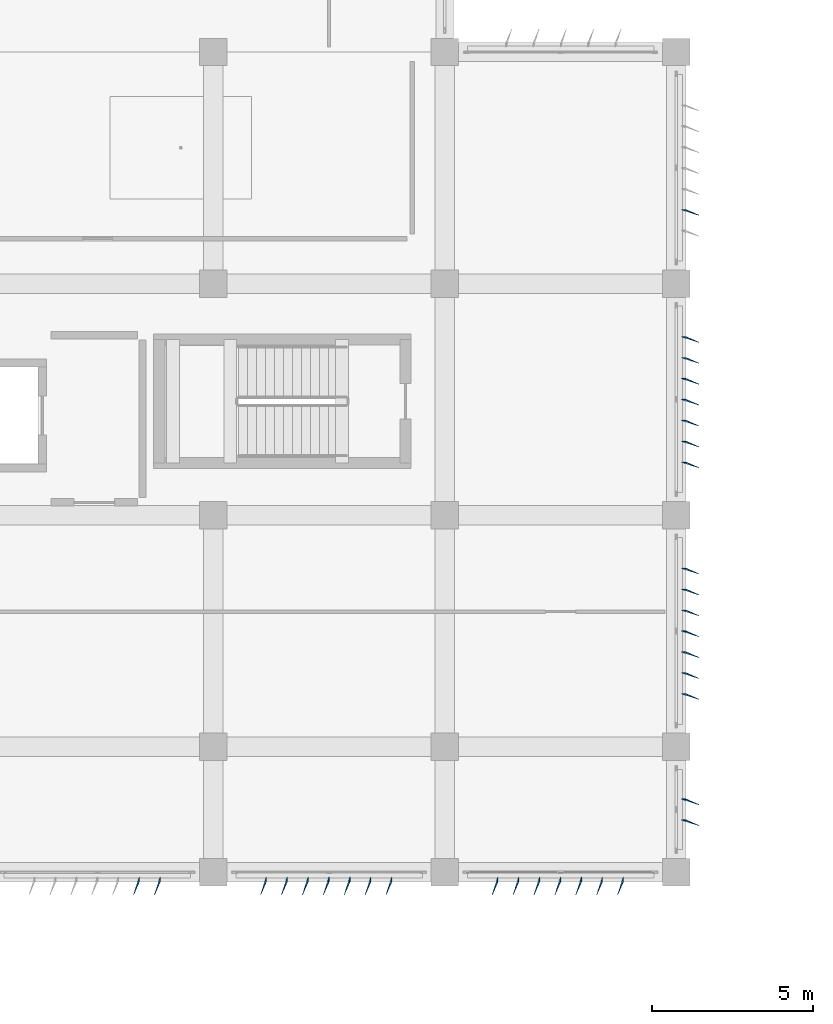
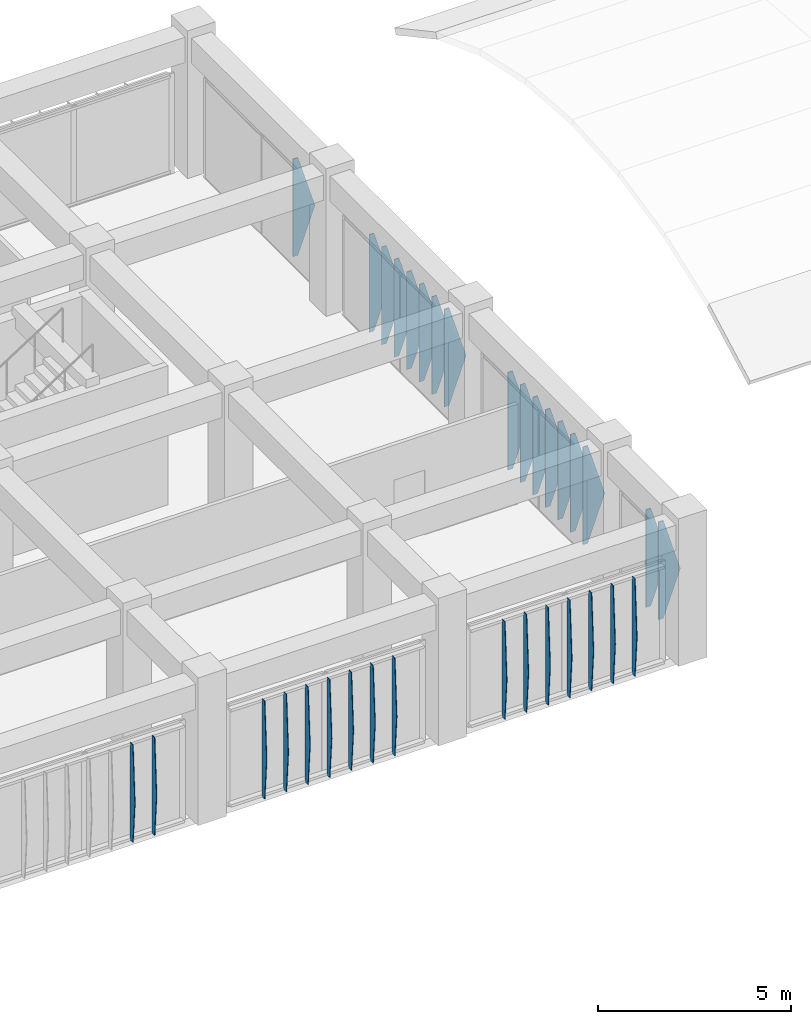
# One storey, part 48 of 55: 33 plates.
"""IFC4 building model written with IfcOpenShell, lengths in metres."""

from ifc_helpers import new_model, si_unit, direction, frame, origin, place, context, subcontext, project, spatial, polygons, material, layer, layer_set, type_object, element, save


model = new_model("IFC4")

# Units and contexts
model_context = context("Model", 3, precision=1e-05, world=origin(), true_north=direction((0.0, 1.0)))
body_context = subcontext(model_context, "Body", "Model", "MODEL_VIEW")
ifc_project = project(units=[si_unit("LENGTHUNIT", "METRE"), si_unit("AREAUNIT", "SQUARE_METRE"), si_unit("VOLUMEUNIT", "CUBIC_METRE"), si_unit("PLANEANGLEUNIT", "RADIAN"), si_unit("MASSUNIT", "GRAM", prefix="KILO")], contexts=[model_context])

# Site, building, storey
site_placement = place(None, origin())
site = spatial("IfcSite", under=ifc_project, at=site_placement, CompositionType="ELEMENT")
building_placement = place(site_placement, origin())
building = spatial("IfcBuilding", under=site, at=building_placement, Name="Kazehaya Institute of Natural Sciences", CompositionType="ELEMENT")
storey_placement = place(building_placement, frame((0.0, 0.0, 15.1201171875)))
storey = spatial("IfcBuildingStorey", under=building, at=storey_placement, Name="L03", CompositionType="ELEMENT", Elevation=15.1201171875)

# Plates
ifc_material = material(Name="Bronze-anodised aluminium alloy A6063S-T5", Category="aluminium")
ifc_layer_1 = layer(ifc_material, 0.02001953125, Name="Bronze-anodised aluminium alloy A6063S-T5", Category="aluminium")
ifc_layer_set_1 = layer_set([ifc_layer_1], Name="Bronze-anodised aluminium alloy A6063S-T5")
plate_type_1 = type_object("IfcPlateType", Name="FIN-DF-E1", PredefinedType="USERDEFINED", material=ifc_layer_set_1)
plate_1_placement = place(storey_placement, origin())
element("IfcPlate", 1, at=plate_1_placement, inside=storey, type_object=plate_type_1, Name="L03 folded diamond-pyramid shading fin FIN-L03-E-0076", ObjectType="SHADING_FIN", PredefinedType="USERDEFINED", context=body_context, shape_type="Tessellation", body=[
    polygons([(119.554931640625, 12.385009765625, 0.039794921875), (119.699951171875, 12.385009765625, 0.039794921875), (120.110107421875, 12.206298828125, 1.58984375), (119.699951171875, 12.385009765625, 3.139892578125), (119.554931640625, 12.385009765625, 3.139892578125), (119.554931640625, 12.364990234375, 0.039794921875), (119.699951171875, 12.364990234375, 0.039794921875), (120.110107421875, 12.186279296875, 1.58984375), (119.699951171875, 12.364990234375, 3.139892578125), (119.554931640625, 12.364990234375, 3.139892578125)], [[[1, 5, 4, 3, 2]], [[6, 7, 8, 9, 10]], [[1, 2, 7, 6]], [[2, 3, 8, 7]], [[3, 4, 9, 8]], [[4, 5, 10, 9]], [[5, 1, 6, 10]]], closed=True),
])
plate_2_placement = place(storey_placement, origin())
element("IfcPlate", 2, at=plate_2_placement, inside=storey, type_object=plate_type_1, Name="L03 folded diamond-pyramid shading fin FIN-L03-E-0077", ObjectType="SHADING_FIN", PredefinedType="USERDEFINED", context=body_context, shape_type="Tessellation", body=[
    polygons([(119.554931640625, 11.735107421875, 0.039794921875), (119.699951171875, 11.735107421875, 0.039794921875), (120.110107421875, 11.556396484375, 1.58984375), (119.699951171875, 11.735107421875, 3.139892578125), (119.554931640625, 11.735107421875, 3.139892578125), (119.554931640625, 11.715087890625, 0.039794921875), (119.699951171875, 11.715087890625, 0.039794921875), (120.110107421875, 11.536376953125, 1.58984375), (119.699951171875, 11.715087890625, 3.139892578125), (119.554931640625, 11.715087890625, 3.139892578125)], [[[1, 5, 4, 3, 2]], [[6, 7, 8, 9, 10]], [[1, 2, 7, 6]], [[2, 3, 8, 7]], [[3, 4, 9, 8]], [[4, 5, 10, 9]], [[5, 1, 6, 10]]], closed=True),
])
plate_3_placement = place(storey_placement, origin())
element("IfcPlate", 3, at=plate_3_placement, inside=storey, type_object=plate_type_1, Name="L03 folded diamond-pyramid shading fin FIN-L03-E-0085", ObjectType="SHADING_FIN", PredefinedType="USERDEFINED", context=body_context, shape_type="Tessellation", body=[
    polygons([(119.554931640625, 19.56005859375, 0.039794921875), (119.699951171875, 19.56005859375, 0.039794921875), (120.110107421875, 19.38134765625, 1.58984375), (119.699951171875, 19.56005859375, 3.139892578125), (119.554931640625, 19.56005859375, 3.139892578125), (119.554931640625, 19.5400390625, 0.039794921875), (119.699951171875, 19.5400390625, 0.039794921875), (120.110107421875, 19.361328125, 1.58984375), (119.699951171875, 19.5400390625, 3.139892578125), (119.554931640625, 19.5400390625, 3.139892578125)], [[[1, 5, 4, 3, 2]], [[6, 7, 8, 9, 10]], [[1, 2, 7, 6]], [[2, 3, 8, 7]], [[3, 4, 9, 8]], [[4, 5, 10, 9]], [[5, 1, 6, 10]]], closed=True),
])
plate_4_placement = place(storey_placement, origin())
element("IfcPlate", 4, at=plate_4_placement, inside=storey, type_object=plate_type_1, Name="L03 folded diamond-pyramid shading fin FIN-L03-E-0086", ObjectType="SHADING_FIN", PredefinedType="USERDEFINED", context=body_context, shape_type="Tessellation", body=[
    polygons([(119.554931640625, 18.909912109375, 0.039794921875), (119.699951171875, 18.909912109375, 0.039794921875), (120.110107421875, 18.731201171875, 1.58984375), (119.699951171875, 18.909912109375, 3.139892578125), (119.554931640625, 18.909912109375, 3.139892578125), (119.554931640625, 18.889892578125, 0.039794921875), (119.699951171875, 18.889892578125, 0.039794921875), (120.110107421875, 18.711181640625, 1.58984375), (119.699951171875, 18.889892578125, 3.139892578125), (119.554931640625, 18.889892578125, 3.139892578125)], [[[1, 5, 4, 3, 2]], [[6, 7, 8, 9, 10]], [[1, 2, 7, 6]], [[2, 3, 8, 7]], [[3, 4, 9, 8]], [[4, 5, 10, 9]], [[5, 1, 6, 10]]], closed=True),
])
plate_5_placement = place(storey_placement, origin())
element("IfcPlate", 5, at=plate_5_placement, inside=storey, type_object=plate_type_1, Name="L03 folded diamond-pyramid shading fin FIN-L03-E-0087", ObjectType="SHADING_FIN", PredefinedType="USERDEFINED", context=body_context, shape_type="Tessellation", body=[
    polygons([(119.554931640625, 18.260009765625, 0.039794921875), (119.699951171875, 18.260009765625, 0.039794921875), (120.110107421875, 18.081298828125, 1.58984375), (119.699951171875, 18.260009765625, 3.139892578125), (119.554931640625, 18.260009765625, 3.139892578125), (119.554931640625, 18.239990234375, 0.039794921875), (119.699951171875, 18.239990234375, 0.039794921875), (120.110107421875, 18.061279296875, 1.58984375), (119.699951171875, 18.239990234375, 3.139892578125), (119.554931640625, 18.239990234375, 3.139892578125)], [[[1, 5, 4, 3, 2]], [[6, 7, 8, 9, 10]], [[1, 2, 7, 6]], [[2, 3, 8, 7]], [[3, 4, 9, 8]], [[4, 5, 10, 9]], [[5, 1, 6, 10]]], closed=True),
])
plate_6_placement = place(storey_placement, origin())
element("IfcPlate", 6, at=plate_6_placement, inside=storey, type_object=plate_type_1, Name="L03 folded diamond-pyramid shading fin FIN-L03-E-0088", ObjectType="SHADING_FIN", PredefinedType="USERDEFINED", context=body_context, shape_type="Tessellation", body=[
    polygons([(119.554931640625, 17.610107421875, 0.039794921875), (119.699951171875, 17.610107421875, 0.039794921875), (120.110107421875, 17.431396484375, 1.58984375), (119.699951171875, 17.610107421875, 3.139892578125), (119.554931640625, 17.610107421875, 3.139892578125), (119.554931640625, 17.590087890625, 0.039794921875), (119.699951171875, 17.590087890625, 0.039794921875), (120.110107421875, 17.411376953125, 1.58984375), (119.699951171875, 17.590087890625, 3.139892578125), (119.554931640625, 17.590087890625, 3.139892578125)], [[[1, 5, 4, 3, 2]], [[6, 7, 8, 9, 10]], [[1, 2, 7, 6]], [[2, 3, 8, 7]], [[3, 4, 9, 8]], [[4, 5, 10, 9]], [[5, 1, 6, 10]]], closed=True),
])
plate_7_placement = place(storey_placement, origin())
element("IfcPlate", 7, at=plate_7_placement, inside=storey, type_object=plate_type_1, Name="L03 folded diamond-pyramid shading fin FIN-L03-E-0089", ObjectType="SHADING_FIN", PredefinedType="USERDEFINED", context=body_context, shape_type="Tessellation", body=[
    polygons([(119.554931640625, 16.9599609375, 0.039794921875), (119.699951171875, 16.9599609375, 0.039794921875), (120.110107421875, 16.78125, 1.58984375), (119.699951171875, 16.9599609375, 3.139892578125), (119.554931640625, 16.9599609375, 3.139892578125), (119.554931640625, 16.93994140625, 0.039794921875), (119.699951171875, 16.93994140625, 0.039794921875), (120.110107421875, 16.76123046875, 1.58984375), (119.699951171875, 16.93994140625, 3.139892578125), (119.554931640625, 16.93994140625, 3.139892578125)], [[[1, 5, 4, 3, 2]], [[6, 7, 8, 9, 10]], [[1, 2, 7, 6]], [[2, 3, 8, 7]], [[3, 4, 9, 8]], [[4, 5, 10, 9]], [[5, 1, 6, 10]]], closed=True),
])
plate_8_placement = place(storey_placement, origin())
element("IfcPlate", 8, at=plate_8_placement, inside=storey, type_object=plate_type_1, Name="L03 folded diamond-pyramid shading fin FIN-L03-E-0090", ObjectType="SHADING_FIN", PredefinedType="USERDEFINED", context=body_context, shape_type="Tessellation", body=[
    polygons([(119.554931640625, 16.31005859375, 0.039794921875), (119.699951171875, 16.31005859375, 0.039794921875), (120.110107421875, 16.13134765625, 1.58984375), (119.699951171875, 16.31005859375, 3.139892578125), (119.554931640625, 16.31005859375, 3.139892578125), (119.554931640625, 16.2900390625, 0.039794921875), (119.699951171875, 16.2900390625, 0.039794921875), (120.110107421875, 16.111328125, 1.58984375), (119.699951171875, 16.2900390625, 3.139892578125), (119.554931640625, 16.2900390625, 3.139892578125)], [[[1, 5, 4, 3, 2]], [[6, 7, 8, 9, 10]], [[1, 2, 7, 6]], [[2, 3, 8, 7]], [[3, 4, 9, 8]], [[4, 5, 10, 9]], [[5, 1, 6, 10]]], closed=True),
])
plate_9_placement = place(storey_placement, origin())
element("IfcPlate", 9, at=plate_9_placement, inside=storey, type_object=plate_type_1, Name="L03 folded diamond-pyramid shading fin FIN-L03-E-0091", ObjectType="SHADING_FIN", PredefinedType="USERDEFINED", context=body_context, shape_type="Tessellation", body=[
    polygons([(119.554931640625, 15.659912109375, 0.039794921875), (119.699951171875, 15.659912109375, 0.039794921875), (120.110107421875, 15.481201171875, 1.58984375), (119.699951171875, 15.659912109375, 3.139892578125), (119.554931640625, 15.659912109375, 3.139892578125), (119.554931640625, 15.639892578125, 0.039794921875), (119.699951171875, 15.639892578125, 0.039794921875), (120.110107421875, 15.461181640625, 1.58984375), (119.699951171875, 15.639892578125, 3.139892578125), (119.554931640625, 15.639892578125, 3.139892578125)], [[[1, 5, 4, 3, 2]], [[6, 7, 8, 9, 10]], [[1, 2, 7, 6]], [[2, 3, 8, 7]], [[3, 4, 9, 8]], [[4, 5, 10, 9]], [[5, 1, 6, 10]]], closed=True),
])
plate_10_placement = place(storey_placement, origin())
element("IfcPlate", 10, at=plate_10_placement, inside=storey, type_object=plate_type_1, Name="L03 folded diamond-pyramid shading fin FIN-L03-E-0092", ObjectType="SHADING_FIN", PredefinedType="USERDEFINED", context=body_context, shape_type="Tessellation", body=[
    polygons([(119.554931640625, 26.760009765625, 0.039794921875), (119.699951171875, 26.760009765625, 0.039794921875), (120.110107421875, 26.581298828125, 1.58984375), (119.699951171875, 26.760009765625, 3.139892578125), (119.554931640625, 26.760009765625, 3.139892578125), (119.554931640625, 26.739990234375, 0.039794921875), (119.699951171875, 26.739990234375, 0.039794921875), (120.110107421875, 26.561279296875, 1.58984375), (119.699951171875, 26.739990234375, 3.139892578125), (119.554931640625, 26.739990234375, 3.139892578125)], [[[1, 5, 4, 3, 2]], [[6, 7, 8, 9, 10]], [[1, 2, 7, 6]], [[2, 3, 8, 7]], [[3, 4, 9, 8]], [[4, 5, 10, 9]], [[5, 1, 6, 10]]], closed=True),
])
plate_11_placement = place(storey_placement, origin())
element("IfcPlate", 11, at=plate_11_placement, inside=storey, type_object=plate_type_1, Name="L03 folded diamond-pyramid shading fin FIN-L03-E-0093", ObjectType="SHADING_FIN", PredefinedType="USERDEFINED", context=body_context, shape_type="Tessellation", body=[
    polygons([(119.554931640625, 26.110107421875, 0.039794921875), (119.699951171875, 26.110107421875, 0.039794921875), (120.110107421875, 25.931396484375, 1.58984375), (119.699951171875, 26.110107421875, 3.139892578125), (119.554931640625, 26.110107421875, 3.139892578125), (119.554931640625, 26.090087890625, 0.039794921875), (119.699951171875, 26.090087890625, 0.039794921875), (120.110107421875, 25.911376953125, 1.58984375), (119.699951171875, 26.090087890625, 3.139892578125), (119.554931640625, 26.090087890625, 3.139892578125)], [[[1, 5, 4, 3, 2]], [[6, 7, 8, 9, 10]], [[1, 2, 7, 6]], [[2, 3, 8, 7]], [[3, 4, 9, 8]], [[4, 5, 10, 9]], [[5, 1, 6, 10]]], closed=True),
])
plate_12_placement = place(storey_placement, origin())
element("IfcPlate", 12, at=plate_12_placement, inside=storey, type_object=plate_type_1, Name="L03 folded diamond-pyramid shading fin FIN-L03-E-0094", ObjectType="SHADING_FIN", PredefinedType="USERDEFINED", context=body_context, shape_type="Tessellation", body=[
    polygons([(119.554931640625, 25.4599609375, 0.039794921875), (119.699951171875, 25.4599609375, 0.039794921875), (120.110107421875, 25.28125, 1.58984375), (119.699951171875, 25.4599609375, 3.139892578125), (119.554931640625, 25.4599609375, 3.139892578125), (119.554931640625, 25.43994140625, 0.039794921875), (119.699951171875, 25.43994140625, 0.039794921875), (120.110107421875, 25.26123046875, 1.58984375), (119.699951171875, 25.43994140625, 3.139892578125), (119.554931640625, 25.43994140625, 3.139892578125)], [[[1, 5, 4, 3, 2]], [[6, 7, 8, 9, 10]], [[1, 2, 7, 6]], [[2, 3, 8, 7]], [[3, 4, 9, 8]], [[4, 5, 10, 9]], [[5, 1, 6, 10]]], closed=True),
])
plate_13_placement = place(storey_placement, origin())
element("IfcPlate", 13, at=plate_13_placement, inside=storey, type_object=plate_type_1, Name="L03 folded diamond-pyramid shading fin FIN-L03-E-0095", ObjectType="SHADING_FIN", PredefinedType="USERDEFINED", context=body_context, shape_type="Tessellation", body=[
    polygons([(119.554931640625, 24.81005859375, 0.039794921875), (119.699951171875, 24.81005859375, 0.039794921875), (120.110107421875, 24.63134765625, 1.58984375), (119.699951171875, 24.81005859375, 3.139892578125), (119.554931640625, 24.81005859375, 3.139892578125), (119.554931640625, 24.7900390625, 0.039794921875), (119.699951171875, 24.7900390625, 0.039794921875), (120.110107421875, 24.611328125, 1.58984375), (119.699951171875, 24.7900390625, 3.139892578125), (119.554931640625, 24.7900390625, 3.139892578125)], [[[1, 5, 4, 3, 2]], [[6, 7, 8, 9, 10]], [[1, 2, 7, 6]], [[2, 3, 8, 7]], [[3, 4, 9, 8]], [[4, 5, 10, 9]], [[5, 1, 6, 10]]], closed=True),
])
plate_14_placement = place(storey_placement, origin())
element("IfcPlate", 14, at=plate_14_placement, inside=storey, type_object=plate_type_1, Name="L03 folded diamond-pyramid shading fin FIN-L03-E-0096", ObjectType="SHADING_FIN", PredefinedType="USERDEFINED", context=body_context, shape_type="Tessellation", body=[
    polygons([(119.554931640625, 24.159912109375, 0.039794921875), (119.699951171875, 24.159912109375, 0.039794921875), (120.110107421875, 23.981201171875, 1.58984375), (119.699951171875, 24.159912109375, 3.139892578125), (119.554931640625, 24.159912109375, 3.139892578125), (119.554931640625, 24.139892578125, 0.039794921875), (119.699951171875, 24.139892578125, 0.039794921875), (120.110107421875, 23.961181640625, 1.58984375), (119.699951171875, 24.139892578125, 3.139892578125), (119.554931640625, 24.139892578125, 3.139892578125)], [[[1, 5, 4, 3, 2]], [[6, 7, 8, 9, 10]], [[1, 2, 7, 6]], [[2, 3, 8, 7]], [[3, 4, 9, 8]], [[4, 5, 10, 9]], [[5, 1, 6, 10]]], closed=True),
])
plate_15_placement = place(storey_placement, origin())
element("IfcPlate", 15, at=plate_15_placement, inside=storey, type_object=plate_type_1, Name="L03 folded diamond-pyramid shading fin FIN-L03-E-0097", ObjectType="SHADING_FIN", PredefinedType="USERDEFINED", context=body_context, shape_type="Tessellation", body=[
    polygons([(119.554931640625, 23.510009765625, 0.039794921875), (119.699951171875, 23.510009765625, 0.039794921875), (120.110107421875, 23.331298828125, 1.58984375), (119.699951171875, 23.510009765625, 3.139892578125), (119.554931640625, 23.510009765625, 3.139892578125), (119.554931640625, 23.489990234375, 0.039794921875), (119.699951171875, 23.489990234375, 0.039794921875), (120.110107421875, 23.311279296875, 1.58984375), (119.699951171875, 23.489990234375, 3.139892578125), (119.554931640625, 23.489990234375, 3.139892578125)], [[[1, 5, 4, 3, 2]], [[6, 7, 8, 9, 10]], [[1, 2, 7, 6]], [[2, 3, 8, 7]], [[3, 4, 9, 8]], [[4, 5, 10, 9]], [[5, 1, 6, 10]]], closed=True),
])
plate_16_placement = place(storey_placement, origin())
element("IfcPlate", 16, at=plate_16_placement, inside=storey, type_object=plate_type_1, Name="L03 folded diamond-pyramid shading fin FIN-L03-E-0098", ObjectType="SHADING_FIN", PredefinedType="USERDEFINED", context=body_context, shape_type="Tessellation", body=[
    polygons([(119.554931640625, 22.860107421875, 0.039794921875), (119.699951171875, 22.860107421875, 0.039794921875), (120.110107421875, 22.681396484375, 1.58984375), (119.699951171875, 22.860107421875, 3.139892578125), (119.554931640625, 22.860107421875, 3.139892578125), (119.554931640625, 22.840087890625, 0.039794921875), (119.699951171875, 22.840087890625, 0.039794921875), (120.110107421875, 22.661376953125, 1.58984375), (119.699951171875, 22.840087890625, 3.139892578125), (119.554931640625, 22.840087890625, 3.139892578125)], [[[1, 5, 4, 3, 2]], [[6, 7, 8, 9, 10]], [[1, 2, 7, 6]], [[2, 3, 8, 7]], [[3, 4, 9, 8]], [[4, 5, 10, 9]], [[5, 1, 6, 10]]], closed=True),
])
plate_17_placement = place(storey_placement, origin())
element("IfcPlate", 17, at=plate_17_placement, inside=storey, type_object=plate_type_1, Name="L03 folded diamond-pyramid shading fin FIN-L03-E-0111", ObjectType="SHADING_FIN", PredefinedType="USERDEFINED", context=body_context, shape_type="Tessellation", body=[
    polygons([(119.554931640625, 30.7099609375, 0.039794921875), (119.699951171875, 30.7099609375, 0.039794921875), (120.110107421875, 30.53125, 1.58984375), (119.699951171875, 30.7099609375, 3.139892578125), (119.554931640625, 30.7099609375, 3.139892578125), (119.554931640625, 30.68994140625, 0.039794921875), (119.699951171875, 30.68994140625, 0.039794921875), (120.110107421875, 30.51123046875, 1.58984375), (119.699951171875, 30.68994140625, 3.139892578125), (119.554931640625, 30.68994140625, 3.139892578125)], [[[1, 5, 4, 3, 2]], [[6, 7, 8, 9, 10]], [[1, 2, 7, 6]], [[2, 3, 8, 7]], [[3, 4, 9, 8]], [[4, 5, 10, 9]], [[5, 1, 6, 10]]], closed=True),
])
ifc_layer_2 = layer(ifc_material, 0.02001953125, Name="Bronze-anodised aluminium alloy A6063S-T5", Category="aluminium")
ifc_layer_set_2 = layer_set([ifc_layer_2], Name="Bronze-anodised aluminium alloy A6063S-T5")
plate_type_2 = type_object("IfcPlateType", Name="FIN-DF-S1", PredefinedType="USERDEFINED", material=ifc_layer_set_2)
plate_18_placement = place(storey_placement, origin())
element("IfcPlate", 18, at=plate_18_placement, inside=storey, type_object=plate_type_2, Name="L03 folded diamond-pyramid shading fin FIN-L03-S-0001", ObjectType="SHADING_FIN", PredefinedType="USERDEFINED", context=body_context, shape_type="Tessellation", body=[
    polygons([(117.760009765625, 9.945068359375, 0.039794921875), (117.760009765625, 9.800048828125, 0.039794921875), (117.581298828125, 9.389892578125, 1.58984375), (117.760009765625, 9.800048828125, 3.139892578125), (117.760009765625, 9.945068359375, 3.139892578125), (117.739990234375, 9.945068359375, 0.039794921875), (117.739990234375, 9.800048828125, 0.039794921875), (117.561279296875, 9.389892578125, 1.58984375), (117.739990234375, 9.800048828125, 3.139892578125), (117.739990234375, 9.945068359375, 3.139892578125)], [[[1, 5, 4, 3, 2]], [[6, 7, 8, 9, 10]], [[1, 2, 7, 6]], [[2, 3, 8, 7]], [[3, 4, 9, 8]], [[4, 5, 10, 9]], [[5, 1, 6, 10]]], closed=True),
])
plate_19_placement = place(storey_placement, origin())
element("IfcPlate", 19, at=plate_19_placement, inside=storey, type_object=plate_type_2, Name="L03 folded diamond-pyramid shading fin FIN-L03-S-0002", ObjectType="SHADING_FIN", PredefinedType="USERDEFINED", context=body_context, shape_type="Tessellation", body=[
    polygons([(117.110107421875, 9.945068359375, 0.039794921875), (117.110107421875, 9.800048828125, 0.039794921875), (116.931396484375, 9.389892578125, 1.58984375), (117.110107421875, 9.800048828125, 3.139892578125), (117.110107421875, 9.945068359375, 3.139892578125), (117.090087890625, 9.945068359375, 0.039794921875), (117.090087890625, 9.800048828125, 0.039794921875), (116.911376953125, 9.389892578125, 1.58984375), (117.090087890625, 9.800048828125, 3.139892578125), (117.090087890625, 9.945068359375, 3.139892578125)], [[[1, 5, 4, 3, 2]], [[6, 7, 8, 9, 10]], [[1, 2, 7, 6]], [[2, 3, 8, 7]], [[3, 4, 9, 8]], [[4, 5, 10, 9]], [[5, 1, 6, 10]]], closed=True),
])
plate_20_placement = place(storey_placement, origin())
element("IfcPlate", 20, at=plate_20_placement, inside=storey, type_object=plate_type_2, Name="L03 folded diamond-pyramid shading fin FIN-L03-S-0003", ObjectType="SHADING_FIN", PredefinedType="USERDEFINED", context=body_context, shape_type="Tessellation", body=[
    polygons([(116.4599609375, 9.945068359375, 0.039794921875), (116.4599609375, 9.800048828125, 0.039794921875), (116.28125, 9.389892578125, 1.58984375), (116.4599609375, 9.800048828125, 3.139892578125), (116.4599609375, 9.945068359375, 3.139892578125), (116.43994140625, 9.945068359375, 0.039794921875), (116.43994140625, 9.800048828125, 0.039794921875), (116.26123046875, 9.389892578125, 1.58984375), (116.43994140625, 9.800048828125, 3.139892578125), (116.43994140625, 9.945068359375, 3.139892578125)], [[[1, 5, 4, 3, 2]], [[6, 7, 8, 9, 10]], [[1, 2, 7, 6]], [[2, 3, 8, 7]], [[3, 4, 9, 8]], [[4, 5, 10, 9]], [[5, 1, 6, 10]]], closed=True),
])
plate_21_placement = place(storey_placement, origin())
element("IfcPlate", 21, at=plate_21_placement, inside=storey, type_object=plate_type_2, Name="L03 folded diamond-pyramid shading fin FIN-L03-S-0004", ObjectType="SHADING_FIN", PredefinedType="USERDEFINED", context=body_context, shape_type="Tessellation", body=[
    polygons([(115.81005859375, 9.945068359375, 0.039794921875), (115.81005859375, 9.800048828125, 0.039794921875), (115.63134765625, 9.389892578125, 1.58984375), (115.81005859375, 9.800048828125, 3.139892578125), (115.81005859375, 9.945068359375, 3.139892578125), (115.7900390625, 9.945068359375, 0.039794921875), (115.7900390625, 9.800048828125, 0.039794921875), (115.611328125, 9.389892578125, 1.58984375), (115.7900390625, 9.800048828125, 3.139892578125), (115.7900390625, 9.945068359375, 3.139892578125)], [[[1, 5, 4, 3, 2]], [[6, 7, 8, 9, 10]], [[1, 2, 7, 6]], [[2, 3, 8, 7]], [[3, 4, 9, 8]], [[4, 5, 10, 9]], [[5, 1, 6, 10]]], closed=True),
])
plate_22_placement = place(storey_placement, origin())
element("IfcPlate", 22, at=plate_22_placement, inside=storey, type_object=plate_type_2, Name="L03 folded diamond-pyramid shading fin FIN-L03-S-0005", ObjectType="SHADING_FIN", PredefinedType="USERDEFINED", context=body_context, shape_type="Tessellation", body=[
    polygons([(115.159912109375, 9.945068359375, 0.039794921875), (115.159912109375, 9.800048828125, 0.039794921875), (114.981201171875, 9.389892578125, 1.58984375), (115.159912109375, 9.800048828125, 3.139892578125), (115.159912109375, 9.945068359375, 3.139892578125), (115.139892578125, 9.945068359375, 0.039794921875), (115.139892578125, 9.800048828125, 0.039794921875), (114.961181640625, 9.389892578125, 1.58984375), (115.139892578125, 9.800048828125, 3.139892578125), (115.139892578125, 9.945068359375, 3.139892578125)], [[[1, 5, 4, 3, 2]], [[6, 7, 8, 9, 10]], [[1, 2, 7, 6]], [[2, 3, 8, 7]], [[3, 4, 9, 8]], [[4, 5, 10, 9]], [[5, 1, 6, 10]]], closed=True),
])
plate_23_placement = place(storey_placement, origin())
element("IfcPlate", 23, at=plate_23_placement, inside=storey, type_object=plate_type_2, Name="L03 folded diamond-pyramid shading fin FIN-L03-S-0006", ObjectType="SHADING_FIN", PredefinedType="USERDEFINED", context=body_context, shape_type="Tessellation", body=[
    polygons([(114.510009765625, 9.945068359375, 0.039794921875), (114.510009765625, 9.800048828125, 0.039794921875), (114.331298828125, 9.389892578125, 1.58984375), (114.510009765625, 9.800048828125, 3.139892578125), (114.510009765625, 9.945068359375, 3.139892578125), (114.489990234375, 9.945068359375, 0.039794921875), (114.489990234375, 9.800048828125, 0.039794921875), (114.311279296875, 9.389892578125, 1.58984375), (114.489990234375, 9.800048828125, 3.139892578125), (114.489990234375, 9.945068359375, 3.139892578125)], [[[1, 5, 4, 3, 2]], [[6, 7, 8, 9, 10]], [[1, 2, 7, 6]], [[2, 3, 8, 7]], [[3, 4, 9, 8]], [[4, 5, 10, 9]], [[5, 1, 6, 10]]], closed=True),
])
plate_24_placement = place(storey_placement, origin())
element("IfcPlate", 24, at=plate_24_placement, inside=storey, type_object=plate_type_2, Name="L03 folded diamond-pyramid shading fin FIN-L03-S-0007", ObjectType="SHADING_FIN", PredefinedType="USERDEFINED", context=body_context, shape_type="Tessellation", body=[
    polygons([(113.860107421875, 9.945068359375, 0.039794921875), (113.860107421875, 9.800048828125, 0.039794921875), (113.681396484375, 9.389892578125, 1.58984375), (113.860107421875, 9.800048828125, 3.139892578125), (113.860107421875, 9.945068359375, 3.139892578125), (113.840087890625, 9.945068359375, 0.039794921875), (113.840087890625, 9.800048828125, 0.039794921875), (113.661376953125, 9.389892578125, 1.58984375), (113.840087890625, 9.800048828125, 3.139892578125), (113.840087890625, 9.945068359375, 3.139892578125)], [[[1, 5, 4, 3, 2]], [[6, 7, 8, 9, 10]], [[1, 2, 7, 6]], [[2, 3, 8, 7]], [[3, 4, 9, 8]], [[4, 5, 10, 9]], [[5, 1, 6, 10]]], closed=True),
])
plate_25_placement = place(storey_placement, origin())
element("IfcPlate", 25, at=plate_25_placement, inside=storey, type_object=plate_type_2, Name="L03 folded diamond-pyramid shading fin FIN-L03-S-0008", ObjectType="SHADING_FIN", PredefinedType="USERDEFINED", context=body_context, shape_type="Tessellation", body=[
    polygons([(110.56005859375, 9.945068359375, 0.039794921875), (110.56005859375, 9.800048828125, 0.039794921875), (110.38134765625, 9.389892578125, 1.58984375), (110.56005859375, 9.800048828125, 3.139892578125), (110.56005859375, 9.945068359375, 3.139892578125), (110.5400390625, 9.945068359375, 0.039794921875), (110.5400390625, 9.800048828125, 0.039794921875), (110.361328125, 9.389892578125, 1.58984375), (110.5400390625, 9.800048828125, 3.139892578125), (110.5400390625, 9.945068359375, 3.139892578125)], [[[1, 5, 4, 3, 2]], [[6, 7, 8, 9, 10]], [[1, 2, 7, 6]], [[2, 3, 8, 7]], [[3, 4, 9, 8]], [[4, 5, 10, 9]], [[5, 1, 6, 10]]], closed=True),
])
plate_26_placement = place(storey_placement, origin())
element("IfcPlate", 26, at=plate_26_placement, inside=storey, type_object=plate_type_2, Name="L03 folded diamond-pyramid shading fin FIN-L03-S-0009", ObjectType="SHADING_FIN", PredefinedType="USERDEFINED", context=body_context, shape_type="Tessellation", body=[
    polygons([(109.909912109375, 9.945068359375, 0.039794921875), (109.909912109375, 9.800048828125, 0.039794921875), (109.731201171875, 9.389892578125, 1.58984375), (109.909912109375, 9.800048828125, 3.139892578125), (109.909912109375, 9.945068359375, 3.139892578125), (109.889892578125, 9.945068359375, 0.039794921875), (109.889892578125, 9.800048828125, 0.039794921875), (109.711181640625, 9.389892578125, 1.58984375), (109.889892578125, 9.800048828125, 3.139892578125), (109.889892578125, 9.945068359375, 3.139892578125)], [[[1, 5, 4, 3, 2]], [[6, 7, 8, 9, 10]], [[1, 2, 7, 6]], [[2, 3, 8, 7]], [[3, 4, 9, 8]], [[4, 5, 10, 9]], [[5, 1, 6, 10]]], closed=True),
])
plate_27_placement = place(storey_placement, origin())
element("IfcPlate", 27, at=plate_27_placement, inside=storey, type_object=plate_type_2, Name="L03 folded diamond-pyramid shading fin FIN-L03-S-0010", ObjectType="SHADING_FIN", PredefinedType="USERDEFINED", context=body_context, shape_type="Tessellation", body=[
    polygons([(109.260009765625, 9.945068359375, 0.039794921875), (109.260009765625, 9.800048828125, 0.039794921875), (109.081298828125, 9.389892578125, 1.58984375), (109.260009765625, 9.800048828125, 3.139892578125), (109.260009765625, 9.945068359375, 3.139892578125), (109.239990234375, 9.945068359375, 0.039794921875), (109.239990234375, 9.800048828125, 0.039794921875), (109.061279296875, 9.389892578125, 1.58984375), (109.239990234375, 9.800048828125, 3.139892578125), (109.239990234375, 9.945068359375, 3.139892578125)], [[[1, 5, 4, 3, 2]], [[6, 7, 8, 9, 10]], [[1, 2, 7, 6]], [[2, 3, 8, 7]], [[3, 4, 9, 8]], [[4, 5, 10, 9]], [[5, 1, 6, 10]]], closed=True),
])
plate_28_placement = place(storey_placement, origin())
element("IfcPlate", 28, at=plate_28_placement, inside=storey, type_object=plate_type_2, Name="L03 folded diamond-pyramid shading fin FIN-L03-S-0011", ObjectType="SHADING_FIN", PredefinedType="USERDEFINED", context=body_context, shape_type="Tessellation", body=[
    polygons([(108.610107421875, 9.945068359375, 0.039794921875), (108.610107421875, 9.800048828125, 0.039794921875), (108.431396484375, 9.389892578125, 1.58984375), (108.610107421875, 9.800048828125, 3.139892578125), (108.610107421875, 9.945068359375, 3.139892578125), (108.590087890625, 9.945068359375, 0.039794921875), (108.590087890625, 9.800048828125, 0.039794921875), (108.411376953125, 9.389892578125, 1.58984375), (108.590087890625, 9.800048828125, 3.139892578125), (108.590087890625, 9.945068359375, 3.139892578125)], [[[1, 5, 4, 3, 2]], [[6, 7, 8, 9, 10]], [[1, 2, 7, 6]], [[2, 3, 8, 7]], [[3, 4, 9, 8]], [[4, 5, 10, 9]], [[5, 1, 6, 10]]], closed=True),
])
plate_29_placement = place(storey_placement, origin())
element("IfcPlate", 29, at=plate_29_placement, inside=storey, type_object=plate_type_2, Name="L03 folded diamond-pyramid shading fin FIN-L03-S-0012", ObjectType="SHADING_FIN", PredefinedType="USERDEFINED", context=body_context, shape_type="Tessellation", body=[
    polygons([(107.9599609375, 9.945068359375, 0.039794921875), (107.9599609375, 9.800048828125, 0.039794921875), (107.78125, 9.389892578125, 1.58984375), (107.9599609375, 9.800048828125, 3.139892578125), (107.9599609375, 9.945068359375, 3.139892578125), (107.93994140625, 9.945068359375, 0.039794921875), (107.93994140625, 9.800048828125, 0.039794921875), (107.76123046875, 9.389892578125, 1.58984375), (107.93994140625, 9.800048828125, 3.139892578125), (107.93994140625, 9.945068359375, 3.139892578125)], [[[1, 5, 4, 3, 2]], [[6, 7, 8, 9, 10]], [[1, 2, 7, 6]], [[2, 3, 8, 7]], [[3, 4, 9, 8]], [[4, 5, 10, 9]], [[5, 1, 6, 10]]], closed=True),
])
plate_30_placement = place(storey_placement, origin())
element("IfcPlate", 30, at=plate_30_placement, inside=storey, type_object=plate_type_2, Name="L03 folded diamond-pyramid shading fin FIN-L03-S-0013", ObjectType="SHADING_FIN", PredefinedType="USERDEFINED", context=body_context, shape_type="Tessellation", body=[
    polygons([(107.31005859375, 9.945068359375, 0.039794921875), (107.31005859375, 9.800048828125, 0.039794921875), (107.13134765625, 9.389892578125, 1.58984375), (107.31005859375, 9.800048828125, 3.139892578125), (107.31005859375, 9.945068359375, 3.139892578125), (107.2900390625, 9.945068359375, 0.039794921875), (107.2900390625, 9.800048828125, 0.039794921875), (107.111328125, 9.389892578125, 1.58984375), (107.2900390625, 9.800048828125, 3.139892578125), (107.2900390625, 9.945068359375, 3.139892578125)], [[[1, 5, 4, 3, 2]], [[6, 7, 8, 9, 10]], [[1, 2, 7, 6]], [[2, 3, 8, 7]], [[3, 4, 9, 8]], [[4, 5, 10, 9]], [[5, 1, 6, 10]]], closed=True),
])
plate_31_placement = place(storey_placement, origin())
element("IfcPlate", 31, at=plate_31_placement, inside=storey, type_object=plate_type_2, Name="L03 folded diamond-pyramid shading fin FIN-L03-S-0014", ObjectType="SHADING_FIN", PredefinedType="USERDEFINED", context=body_context, shape_type="Tessellation", body=[
    polygons([(106.659912109375, 9.945068359375, 0.039794921875), (106.659912109375, 9.800048828125, 0.039794921875), (106.481201171875, 9.389892578125, 1.58984375), (106.659912109375, 9.800048828125, 3.139892578125), (106.659912109375, 9.945068359375, 3.139892578125), (106.639892578125, 9.945068359375, 0.039794921875), (106.639892578125, 9.800048828125, 0.039794921875), (106.461181640625, 9.389892578125, 1.58984375), (106.639892578125, 9.800048828125, 3.139892578125), (106.639892578125, 9.945068359375, 3.139892578125)], [[[1, 5, 4, 3, 2]], [[6, 7, 8, 9, 10]], [[1, 2, 7, 6]], [[2, 3, 8, 7]], [[3, 4, 9, 8]], [[4, 5, 10, 9]], [[5, 1, 6, 10]]], closed=True),
])
plate_32_placement = place(storey_placement, origin())
element("IfcPlate", 32, at=plate_32_placement, inside=storey, type_object=plate_type_2, Name="L03 folded diamond-pyramid shading fin FIN-L03-S-0015", ObjectType="SHADING_FIN", PredefinedType="USERDEFINED", context=body_context, shape_type="Tessellation", body=[
    polygons([(103.360107421875, 9.945068359375, 0.039794921875), (103.360107421875, 9.800048828125, 0.039794921875), (103.181396484375, 9.389892578125, 1.58984375), (103.360107421875, 9.800048828125, 3.139892578125), (103.360107421875, 9.945068359375, 3.139892578125), (103.340087890625, 9.945068359375, 0.039794921875), (103.340087890625, 9.800048828125, 0.039794921875), (103.161376953125, 9.389892578125, 1.58984375), (103.340087890625, 9.800048828125, 3.139892578125), (103.340087890625, 9.945068359375, 3.139892578125)], [[[1, 5, 4, 3, 2]], [[6, 7, 8, 9, 10]], [[1, 2, 7, 6]], [[2, 3, 8, 7]], [[3, 4, 9, 8]], [[4, 5, 10, 9]], [[5, 1, 6, 10]]], closed=True),
])
plate_33_placement = place(storey_placement, origin())
element("IfcPlate", 33, at=plate_33_placement, inside=storey, type_object=plate_type_2, Name="L03 folded diamond-pyramid shading fin FIN-L03-S-0016", ObjectType="SHADING_FIN", PredefinedType="USERDEFINED", context=body_context, shape_type="Tessellation", body=[
    polygons([(102.7099609375, 9.945068359375, 0.039794921875), (102.7099609375, 9.800048828125, 0.039794921875), (102.53125, 9.389892578125, 1.58984375), (102.7099609375, 9.800048828125, 3.139892578125), (102.7099609375, 9.945068359375, 3.139892578125), (102.68994140625, 9.945068359375, 0.039794921875), (102.68994140625, 9.800048828125, 0.039794921875), (102.51123046875, 9.389892578125, 1.58984375), (102.68994140625, 9.800048828125, 3.139892578125), (102.68994140625, 9.945068359375, 3.139892578125)], [[[1, 5, 4, 3, 2]], [[6, 7, 8, 9, 10]], [[1, 2, 7, 6]], [[2, 3, 8, 7]], [[3, 4, 9, 8]], [[4, 5, 10, 9]], [[5, 1, 6, 10]]], closed=True),
])

save(model, "model.ifc")
